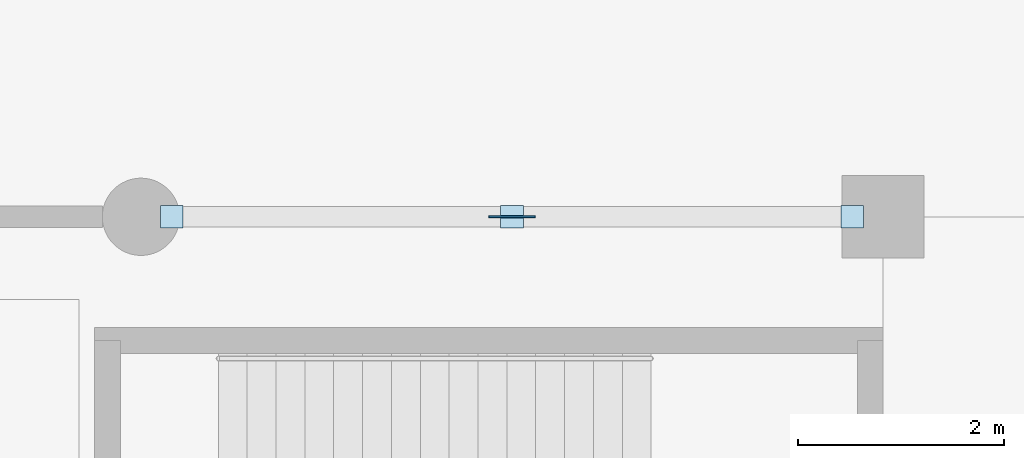
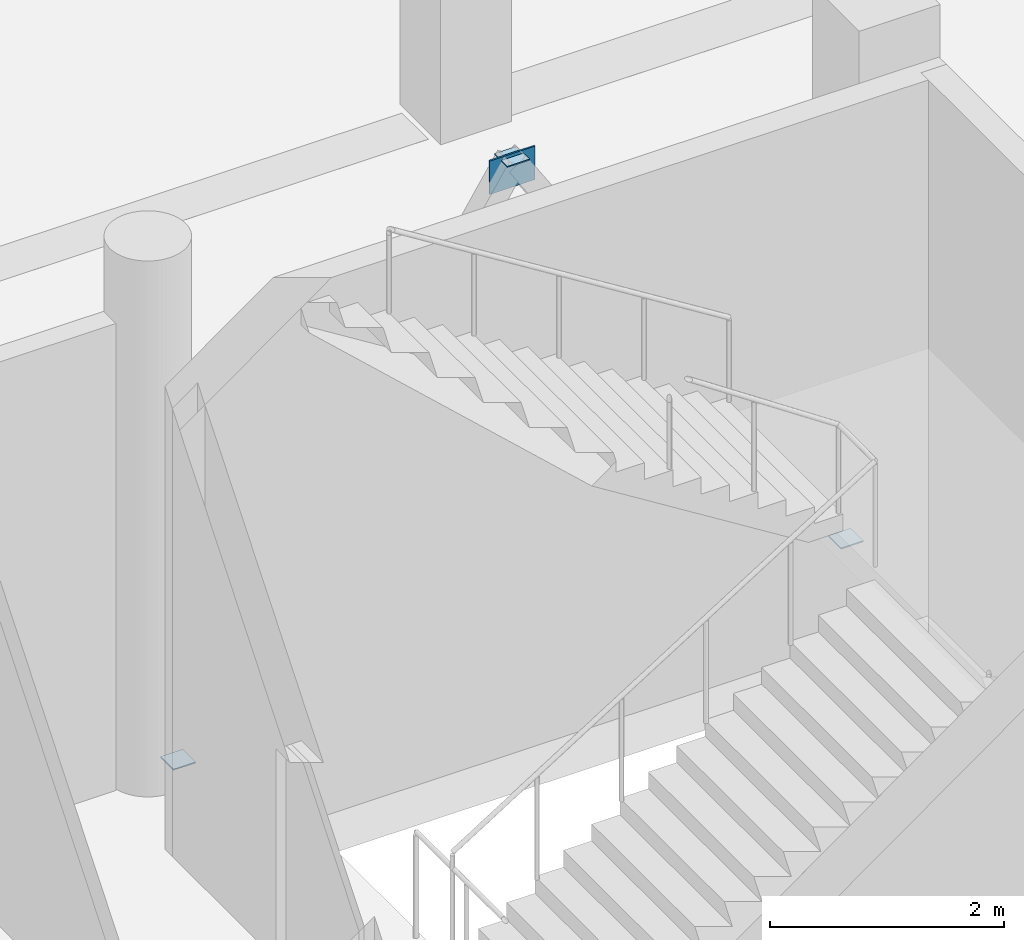
# One storey, part 49 of 85: 4 plates.
"""IFC4 building model written with IfcOpenShell, lengths in metres."""

from ifc_helpers import new_model, si_unit, direction, frame, origin, origin_2d, place, context, subcontext, project, spatial, rectangle, extrude, material, layer, layer_set, type_object, element, save


model = new_model("IFC4")

# Units and contexts
model_context = context("Model", 3, precision=1e-05, world=origin(), true_north=direction((0.0, 1.0)))
body_context = subcontext(model_context, "Body", "Model", "MODEL_VIEW")
ifc_project = project(units=[si_unit("LENGTHUNIT", "METRE"), si_unit("AREAUNIT", "SQUARE_METRE"), si_unit("VOLUMEUNIT", "CUBIC_METRE"), si_unit("PLANEANGLEUNIT", "RADIAN"), si_unit("MASSUNIT", "GRAM", prefix="KILO")], contexts=[model_context])

# Site, building, storey
site_placement = place(None, origin())
site = spatial("IfcSite", under=ifc_project, at=site_placement, CompositionType="ELEMENT")
building_placement = place(site_placement, origin())
building = spatial("IfcBuilding", under=site, at=building_placement, Name="Sardonyx Promenade Sports Hall", CompositionType="ELEMENT")
storey_placement = place(building_placement, origin())
storey = spatial("IfcBuildingStorey", under=building, at=storey_placement, Name="L00", CompositionType="ELEMENT", Elevation=0.0)

# Plates
ifc_material_1 = material(Name="Steel S355JR", Category="steel")
ifc_layer_1 = layer(ifc_material_1, 0.011962890625)
ifc_layer_set_1 = layer_set([ifc_layer_1], Name="Plt_EndCap_EC3")
plate_type_1 = type_object("IfcPlateType", Name="Plt_EndCap_EC3", PredefinedType="USERDEFINED", material=ifc_layer_set_1)
for number, where, z_axis, x_axis, name in (
    (1, (72.300048828125, 28.800048828125, 0.01416015625), (0.0, 0.0, 1.0), (1.0, 0.0, 0.0), "Brace foot end-cap plate EC3 BF6 L00 L1"),
    (2, (78.89990234375, 28.800048828125, 0.01416015625), (0.0, 0.0, 1.0), (1.0, 0.0, 0.0), "Brace foot end-cap plate EC3 BF6 L00 L2"),
    (3, (75.60009765625, 28.800048828125, 5.1591796875), (0.0, 0.0, 1.0), (1.0, 0.0, 0.0), "Brace apex cap plate EC3 BF6 L00"),
):
    element("IfcPlate", number, at=place(storey_placement, frame(where, z_axis=z_axis, x_axis=x_axis)), inside=storey, type_object=plate_type_1, Name=name, ObjectType="END CAP PLATE", PredefinedType="USERDEFINED", context=body_context, shape_type="SweptSolid", body=[
        extrude(rectangle(XDim=0.219970703125, YDim=0.219970703125, at=origin_2d()), origin(), (0.0, 0.0, 1.0), 0.011962890625),
    ])
ifc_material_2 = material(Name="Steel S355JR", Category="steel")
ifc_layer_2 = layer(ifc_material_2, 0.01611328125)
ifc_layer_set_2 = layer_set([ifc_layer_2], Name="Plt_Gusset_KN3")
plate_type_2 = type_object("IfcPlateType", Name="Plt_Gusset_KN3", PredefinedType="USERDEFINED", material=ifc_layer_set_2)
plate_placement = place(storey_placement, frame((75.60009765625, 28.800048828125, 4.85498046875), z_axis=(0.0, 0.0, 1.0), x_axis=(1.0, 0.0, 0.0)))
element("IfcPlate", 4, at=plate_placement, inside=storey, type_object=plate_type_2, Name="Braced-frame apex gusset KN3 BF6 L00", ObjectType="GUSSET PLATE", PredefinedType="USERDEFINED", context=body_context, shape_type="SweptSolid", body=[
    extrude(rectangle(XDim=0.449951171875, YDim=0.01611328125, at=origin_2d()), origin(), (0.0, 0.0, 1.0), 0.35009765625),
])

save(model, "model.ifc")
